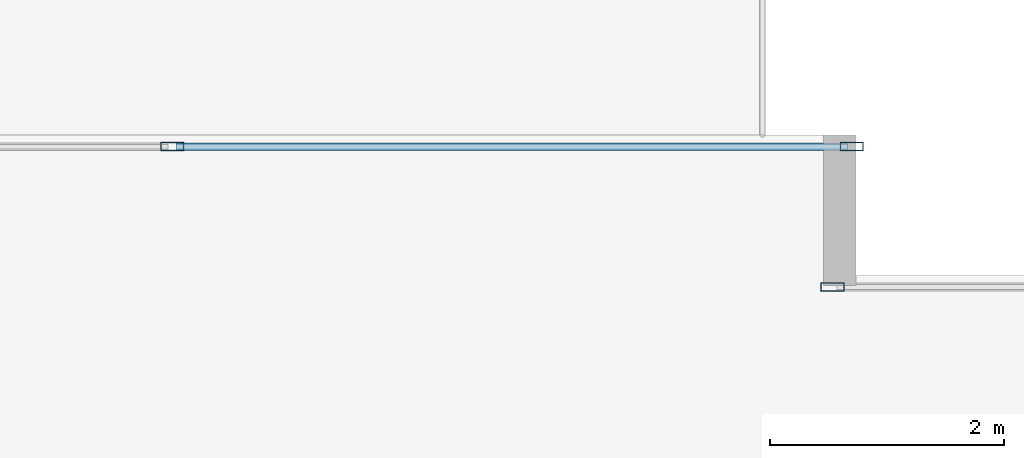
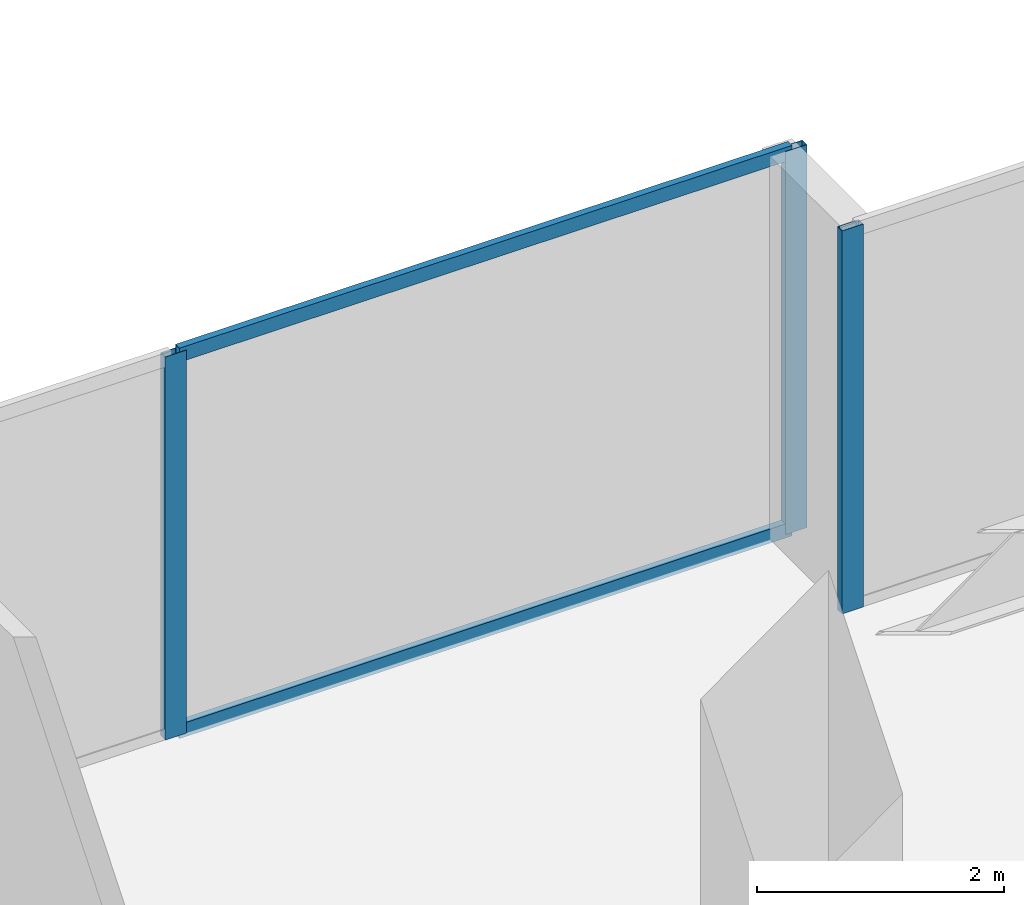
# One storey, part 14 of 30: 5 members, 2 elements without a shape of their own.
"""IFC4 building model written with IfcOpenShell, lengths in metres."""

from ifc_helpers import new_model, si_unit, direction, frame, origin, origin_2d, place, context, subcontext, project, spatial, hollow_rectangle, extrude, source, transform, mapped, material, layer, layer_set, material_profile, profile_set, type_object, type_shapes, element, aggregate, save


model = new_model("IFC4")

# Units and contexts
model_context = context("Model", 3, precision=1e-05, world=origin(), true_north=direction((0.0, 1.0)))
body_context = subcontext(model_context, "Body", "Model", "MODEL_VIEW")
ifc_project = project(units=[si_unit("LENGTHUNIT", "METRE"), si_unit("AREAUNIT", "SQUARE_METRE"), si_unit("VOLUMEUNIT", "CUBIC_METRE"), si_unit("PLANEANGLEUNIT", "RADIAN"), si_unit("MASSUNIT", "GRAM", prefix="KILO")], contexts=[model_context])

# Site, building, storey
site_placement = place(None, origin())
site = spatial("IfcSite", under=ifc_project, at=site_placement, CompositionType="ELEMENT")
building_placement = place(site_placement, origin())
building = spatial("IfcBuilding", under=site, at=building_placement, Name="Haelvirn Gate Laboratories", CompositionType="ELEMENT")
storey_placement = place(building_placement, frame((0.0, 0.0, 146.10009765625)))
storey = spatial("IfcBuildingStorey", under=building, at=storey_placement, Name="L35", CompositionType="ELEMENT", Elevation=146.10009765625)

# Curtain wall, member
ifc_material_1 = material(Name="Anodised bronze unitised aluminium & triple low-E glass", Category="aluminium")
ifc_layer = layer(ifc_material_1, 0.179931640625, Name="CW-SYS-3")
ifc_layer_set = layer_set([ifc_layer], Name="Anodised bronze unitised aluminium & triple low-E glass")
curtain_wall_type = type_object("IfcCurtainWallType", Name="CW-SYS-3", PredefinedType="NOTDEFINED", material=ifc_layer_set)
curtain_wall_1_placement = place(storey_placement, origin())
curtain_wall_1 = element("IfcCurtainWall", 1, at=curtain_wall_1_placement, inside=storey, type_object=curtain_wall_type, Name="L35 Unitised Curtain Wall CW-L35-P0-E12-1", PredefinedType="NOTDEFINED")
ifc_material_2 = material(Name="Extruded aluminium 6063-T6 (anodised bronze)", Category="aluminium")
ifc_material_profile_1 = material_profile(ifc_material_2, hollow_rectangle(XDim=0.074951171875, YDim=0.199951171875, WallThickness=0.0048828125, at=origin_2d()), Name="CWM-200x75x5")
ifc_profile_set_1 = profile_set([ifc_material_profile_1], Name="Extruded aluminium 6063-T6 (anodised bronze)")
member_type_1 = type_object("IfcMemberType", Name="CWM-T200", PredefinedType="MULLION", material=ifc_profile_set_1)
shared_shape_1 = source(origin(), body_context, "Body", "SweptSolid", [
    extrude(hollow_rectangle(XDim=0.074951171875, YDim=0.199951171875, WallThickness=0.0048828125, at=origin_2d()), origin(), (0.0, 0.0, 1.0), 3.789794921875),
])
type_shapes(member_type_1, [shared_shape_1])
member_1_placement = place(storey_placement, frame((25.197509765625, 46.0, 0.0), z_axis=(0.0, 0.0, 1.0), x_axis=(0.0, 1.0, 0.0)))
member_1 = element("IfcMember", 2, at=member_1_placement, type_object=member_type_1, Name="CW3 mullion 1", PredefinedType="MULLION", context=body_context, shape_type="MappedRepresentation", body=[
    mapped(shared_shape_1, transform((0.0, 0.0, 0.0), scale=1.0)),
])
aggregate(curtain_wall_1, [member_1])

# Curtain wall, members
curtain_wall_2_placement = place(storey_placement, origin())
curtain_wall_2 = element("IfcCurtainWall", 3, at=curtain_wall_2_placement, inside=storey, type_object=curtain_wall_type, Name="L35 Unitised Curtain Wall CW-L35-P0-E14-2", PredefinedType="NOTDEFINED")
member_2_placement = place(storey_placement, frame((19.554931640625, 47.199951171875, 0.0), z_axis=(0.0, 0.0, 1.0), x_axis=(0.0, 1.0, 0.0)))
member_2 = element("IfcMember", 4, at=member_2_placement, type_object=member_type_1, Name="CW3 mullion 2", PredefinedType="MULLION", context=body_context, shape_type="MappedRepresentation", body=[
    mapped(shared_shape_1, transform((0.0, 0.0, 0.0), scale=1.0)),
])
member_3_placement = place(storey_placement, frame((25.362548828125, 47.199951171875, 0.0), z_axis=(0.0, 0.0, 1.0), x_axis=(0.0, 1.0, 0.0)))
member_3 = element("IfcMember", 5, at=member_3_placement, type_object=member_type_1, Name="CW3 mullion 3", PredefinedType="MULLION", context=body_context, shape_type="MappedRepresentation", body=[
    mapped(shared_shape_1, transform((0.0, 0.0, 0.0), scale=1.0)),
])
ifc_material_profile_2 = material_profile(ifc_material_2, hollow_rectangle(XDim=0.06494140625, YDim=0.139892578125, WallThickness=0.00390625, at=origin_2d()), Name="CWT-140x65x4")
ifc_profile_set_2 = profile_set([ifc_material_profile_2], Name="Extruded aluminium 6063-T6 (anodised bronze)")
member_type_2 = type_object("IfcMemberType", Name="CWT-T140", PredefinedType="USERDEFINED", material=ifc_profile_set_2)
shared_shape_2 = source(origin(), body_context, "Body", "SweptSolid", [
    extrude(hollow_rectangle(XDim=0.06494140625, YDim=0.139892578125, WallThickness=0.00390625, at=origin_2d()), origin(), (0.0, 0.0, 1.0), 5.732421875),
])
type_shapes(member_type_2, [shared_shape_2])
member_4_placement = place(storey_placement, frame((19.592529296875, 47.199951171875, 0.032470703125), z_axis=(1.0, 0.0, 0.0), x_axis=(0.0, 1.0, 0.0)))
member_4 = element("IfcMember", 6, at=member_4_placement, type_object=member_type_2, Name="CW3 transom 2.1", ObjectType="TRANSOM", PredefinedType="USERDEFINED", context=body_context, shape_type="MappedRepresentation", body=[
    mapped(shared_shape_2, transform((0.0, 0.0, 0.0), scale=1.0)),
])
member_5_placement = place(storey_placement, frame((19.592529296875, 47.199951171875, 3.75732421875), z_axis=(1.0, 0.0, 0.0), x_axis=(0.0, 1.0, 0.0)))
member_5 = element("IfcMember", 7, at=member_5_placement, type_object=member_type_2, Name="CW3 transom 2.2", ObjectType="TRANSOM", PredefinedType="USERDEFINED", context=body_context, shape_type="MappedRepresentation", body=[
    mapped(shared_shape_2, transform((0.0, 0.0, 0.0), scale=1.0)),
])
aggregate(curtain_wall_2, [member_2, member_3, member_4, member_5])

save(model, "model.ifc")
